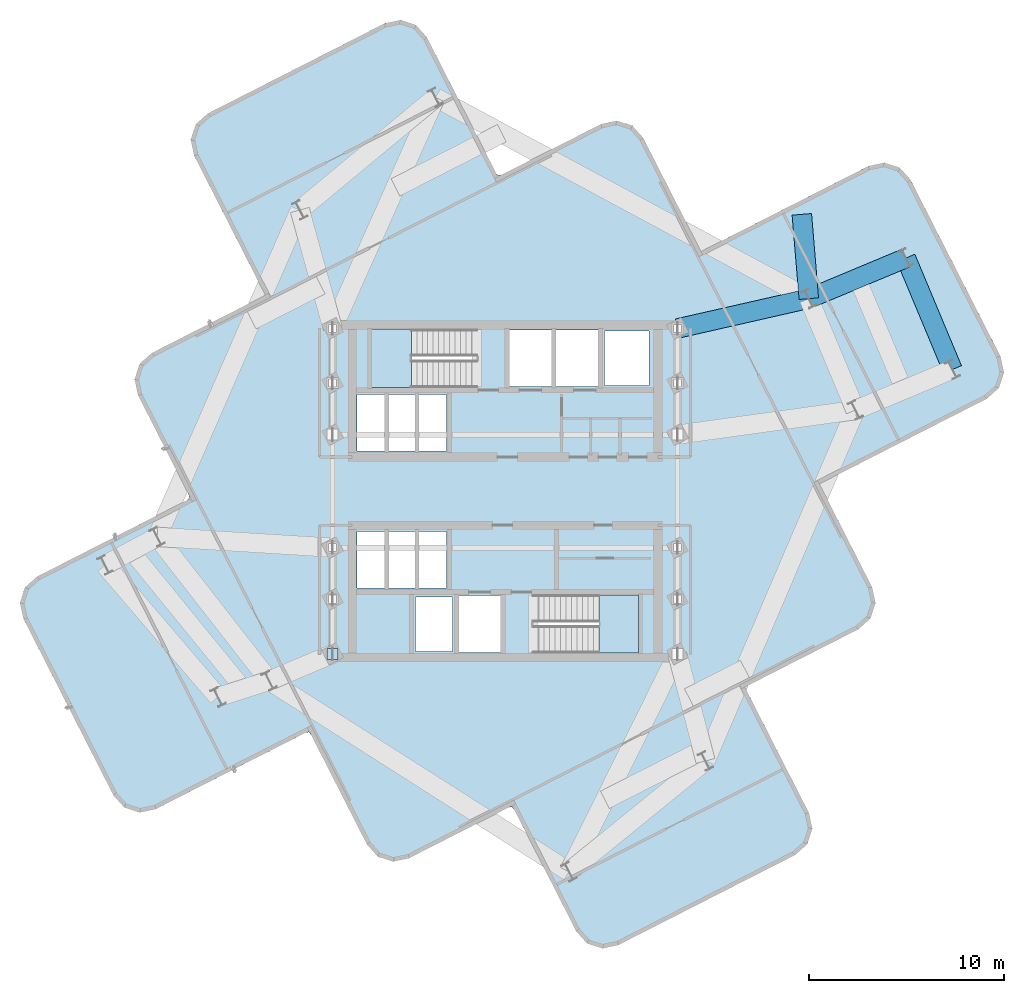
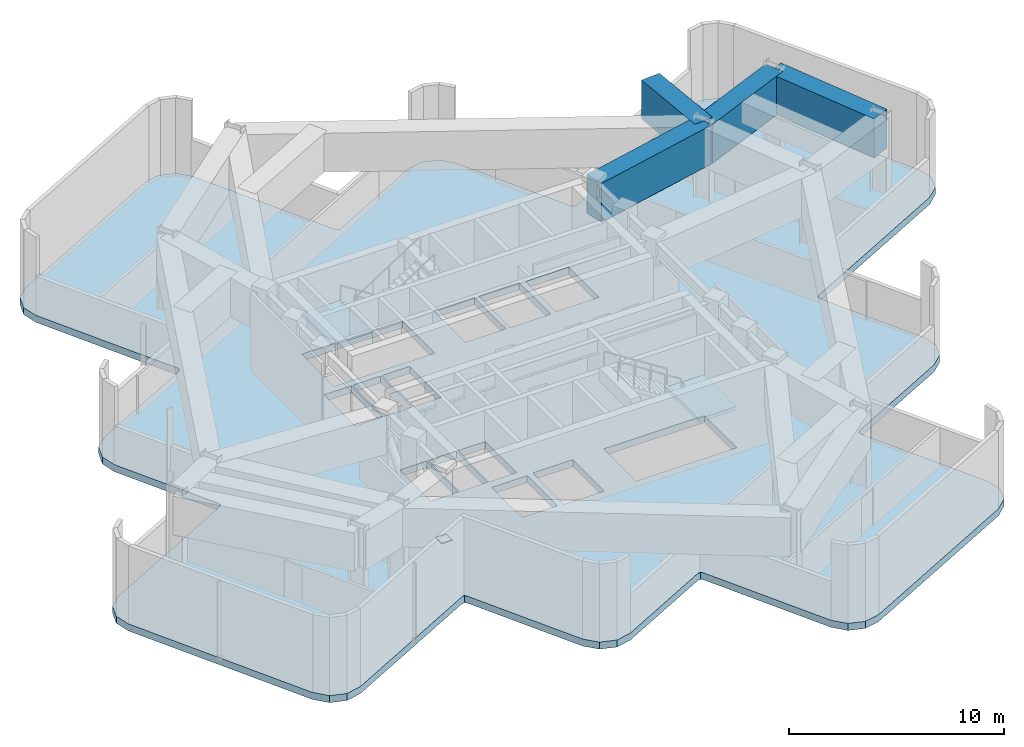
# One storey, part 2 of 6: 4 beams, 3 slabs, 1 plate, 2 elements without a shape of their own.
"""IFC4 building model written with IfcOpenShell, lengths in metres."""

from ifc_helpers import new_model, si_unit, direction, frame, origin, origin_2d, place, context, subcontext, project, spatial, polyline, rectangle, outline, extrude, material, layer, layer_set, material_profile, profile_set, type_object, element, aggregate, save


model = new_model("IFC4")

# Units and contexts
model_context = context("Model", 3, precision=1e-05, world=origin(), true_north=direction((0.0, 1.0)))
body_context = subcontext(model_context, "Body", "Model", "MODEL_VIEW")
ifc_project = project(units=[si_unit("LENGTHUNIT", "METRE"), si_unit("AREAUNIT", "SQUARE_METRE"), si_unit("VOLUMEUNIT", "CUBIC_METRE"), si_unit("PLANEANGLEUNIT", "RADIAN"), si_unit("MASSUNIT", "GRAM", prefix="KILO")], contexts=[model_context])

# Site, building, storey
site_placement = place(None, origin())
site = spatial("IfcSite", under=ifc_project, at=site_placement, CompositionType="ELEMENT")
building_placement = place(site_placement, origin())
building = spatial("IfcBuilding", under=site, at=building_placement, Name="Solmarez Civic Tower", CompositionType="ELEMENT")
storey_placement = place(building_placement, frame((0.0, 0.0, 196.199951171875)))
storey = spatial("IfcBuildingStorey", under=building, at=storey_placement, Name="L52", CompositionType="ELEMENT", Elevation=196.199951171875)

# Beams
ifc_material_1 = material(Name="Concrete C60/75", Category="concrete")
ifc_material_profile = material_profile(ifc_material_1, rectangle(XDim=1.0, YDim=2.199951171875, at=origin_2d()), Name="RC1000X2200")
ifc_profile_set = profile_set([ifc_material_profile], Name="Concrete C60/75")
beam_type = type_object("IfcBeamType", Name="BM-TG-RC1000X2200", PredefinedType="USERDEFINED", material=ifc_profile_set)
beam_1_placement = place(storey_placement, frame((8.85009765625, 8.35009765625, 3.320068359375), z_axis=(0.975124879448, 0.221656196577, 0.0), x_axis=(-0.221656196577, 0.975124879448, 0.0)))
element("IfcBeam", 1, at=beam_1_placement, inside=storey, type_object=beam_type, Name="L52 Transfer Girder BM-L52-EA-R1B", ObjectType="TRANSFER_GIRDER", PredefinedType="USERDEFINED", context=body_context, shape_type="SweptSolid", body=[
    extrude(rectangle(XDim=1.0, YDim=2.199951171875, at=origin_2d()), origin(), (0.0, 0.0, 1.0), 6.916015625),
])
beam_2_placement = place(storey_placement, frame((15.593994140625, 9.883056640625, 3.320068359375), z_axis=(0.922538326171, 0.385905476438, 0.0), x_axis=(-0.385905476438, 0.922538326171, 0.0)))
element("IfcBeam", 2, at=beam_2_placement, inside=storey, type_object=beam_type, Name="L52 Transfer Girder BM-L52-EA-R2B", ObjectType="TRANSFER_GIRDER", PredefinedType="USERDEFINED", context=body_context, shape_type="SweptSolid", body=[
    extrude(rectangle(XDim=1.0, YDim=2.199951171875, at=origin_2d()), origin(), (0.0, 0.0, 1.0), 5.400146484375),
])
beam_3_placement = place(storey_placement, frame((22.968017578125, 6.248046875, 3.320068359375), z_axis=(-0.385876218946, 0.922550564279, 0.0), x_axis=(-0.922550564279, -0.385876218946, 0.0)))
element("IfcBeam", 3, at=beam_3_placement, inside=storey, type_object=beam_type, Name="L52 Transfer Girder BM-L52-EA-T2", ObjectType="TRANSFER_GIRDER", PredefinedType="USERDEFINED", context=body_context, shape_type="SweptSolid", body=[
    extrude(rectangle(XDim=1.0, YDim=2.199951171875, at=origin_2d()), origin(), (0.0, 0.0, 1.0), 6.19921875),
])
beam_4_placement = place(storey_placement, frame((15.593994140625, 9.883056640625, 3.320068359375), z_axis=(-0.08295704373, 0.996553123971, 0.0), x_axis=(-0.996553123971, -0.08295704373, 0.0)))
element("IfcBeam", 4, at=beam_4_placement, inside=storey, type_object=beam_type, Name="L52 Transfer Girder TG-L52-EA12", ObjectType="TRANSFER_GIRDER", PredefinedType="USERDEFINED", context=body_context, shape_type="SweptSolid", body=[
    extrude(rectangle(XDim=1.0, YDim=2.199951171875, at=origin_2d()), origin(), (0.0, 0.0, 1.0), 4.3408203125),
])

# Plate
ifc_material_2 = material(Name="Steel S355", Category="steel")
ifc_layer_1 = layer(ifc_material_2, 0.028076171875)
ifc_layer_set_1 = layer_set([ifc_layer_1], Name="Steel S355")
plate_type = type_object("IfcPlateType", Name="PLT-CAP-540", PredefinedType="USERDEFINED", material=ifc_layer_set_1)
plate_placement = place(storey_placement, frame((-8.85009765625, -8.35009765625, 0.3359375), z_axis=(0.0, 0.0, 1.0), x_axis=(1.0, 0.0, 0.0)))
element("IfcPlate", 5, at=plate_placement, inside=storey, type_object=plate_type, Name="Steel Member End Cap Plate CAP-CHD-L52-01-0", ObjectType="CAP_PLATE", PredefinedType="USERDEFINED", context=body_context, shape_type="SweptSolid", body=[
    extrude(rectangle(XDim=0.56005859375, YDim=0.56005859375, at=origin_2d()), origin(), (0.0, 0.0, 1.0), 0.028076171875),
])

# Stair, slab
ifc_material_3 = material(Name="Concrete C50/60", Category="concrete")
stair_type = type_object("IfcStairType", Name="STAIR-DOGLEG-140W-26R-1800", PredefinedType="HALF_TURN_STAIR", material=ifc_material_3)
stair_1_placement = place(storey_placement, origin())
stair_1 = element("IfcStair", 6, at=stair_1_placement, inside=storey, type_object=stair_type, Name="L52 North Core Protected Exit Stair ST-1", PredefinedType="HALF_TURN_STAIR")
ifc_layer_2 = layer(ifc_material_3, 0.199951171875)
ifc_layer_set_2 = layer_set([ifc_layer_2], Name="Concrete C50/60")
slab_type_1 = type_object("IfcSlabType", Name="SLAB-LANDING-200", PredefinedType="LANDING", material=ifc_layer_set_2)
slab_1_placement = place(storey_placement, frame((0.0, 0.0, 2.14013671875)))
slab_1 = element("IfcSlab", 7, at=slab_1_placement, type_object=slab_type_1, Name="ST-1 landing 1", PredefinedType="LANDING", context=body_context, shape_type="SweptSolid", body=[
    extrude(outline(polyline([(-4.81005859375, 8.320068359375), (-6.85009765625, 8.320068359375), (-6.85009765625, 5.320068359375), (-4.81005859375, 5.320068359375), (-4.81005859375, 8.320068359375)])), origin(), (0.0, 0.0, 1.0), 0.199951171875),
])
aggregate(stair_1, [slab_1])

stair_2_placement = place(storey_placement, origin())
stair_2 = element("IfcStair", 8, at=stair_2_placement, inside=storey, type_object=stair_type, Name="L52 South Core Protected Exit Stair ST-2", PredefinedType="HALF_TURN_STAIR")
slab_2_placement = place(storey_placement, frame((0.0, 0.0, 2.14013671875)))
slab_2 = element("IfcSlab", 9, at=slab_2_placement, type_object=slab_type_1, Name="ST-2 landing 1", PredefinedType="LANDING", context=body_context, shape_type="SweptSolid", body=[
    extrude(outline(polyline([(4.81005859375, -8.320068359375), (6.85009765625, -8.320068359375), (6.85009765625, -5.320068359375), (4.81005859375, -5.320068359375), (4.81005859375, -8.320068359375)])), origin(), (0.0, 0.0, 1.0), 0.199951171875),
])
aggregate(stair_2, [slab_2])

# Slab
ifc_layer_3 = layer(ifc_material_1, 0.39990234375)
ifc_layer_set_3 = layer_set([ifc_layer_3], Name="Concrete C60/75")
slab_type_2 = type_object("IfcSlabType", Name="SLAB-TRANS-400", PredefinedType="FLOOR", material=ifc_layer_set_3)
slab_3_placement = place(storey_placement, frame((0.0, 0.0, -0.39990234375)))
element("IfcSlab", 10, at=slab_3_placement, inside=storey, type_object=slab_type_2, Name="L52 Structural Slab", PredefinedType="FLOOR", context=body_context, shape_type="SweptSolid", body=[
    extrude(outline(polyline([(-9.962890625, -12.49609375), (-7.0849609375, -18.14404296875), (-6.531005859375, -18.760009765625), (-5.742919921875, -19.01611328125), (-4.93310546875, -18.843017578125), (0.180908203125, -16.238037109375), (0.34912109375, -16.201904296875), (0.464111328125, -16.330078125), (3.659912109375, -22.60205078125), (4.214111328125, -23.217041015625), (5.001953125, -23.472900390625), (5.81201171875, -23.301025390625), (14.89990234375, -18.669921875), (15.51611328125, -18.115966796875), (15.77197265625, -17.3291015625), (15.59912109375, -16.51806640625), (12.404052734375, -10.24609375), (12.367919921875, -10.077880859375), (12.49609375, -9.962890625), (18.14404296875, -7.0849609375), (18.760009765625, -6.531005859375), (19.01611328125, -5.742919921875), (18.843017578125, -4.93310546875), (16.238037109375, 0.180908203125), (16.201904296875, 0.34912109375), (16.330078125, 0.464111328125), (24.739990234375, 4.75), (25.35595703125, 5.303955078125), (25.612060546875, 6.091064453125), (25.43994140625, 6.902099609375), (20.80908203125, 15.989990234375), (20.2548828125, 16.60498046875), (19.467041015625, 16.861083984375), (18.656982421875, 16.68896484375), (10.24609375, 12.404052734375), (10.077880859375, 12.367919921875), (9.962890625, 12.49609375), (7.0849609375, 18.14404296875), (6.531005859375, 18.760009765625), (5.742919921875, 19.01611328125), (4.93310546875, 18.843017578125), (-0.180908203125, 16.238037109375), (-0.34912109375, 16.201904296875), (-0.464111328125, 16.330078125), (-4.02294921875, 23.31494140625), (-4.576904296875, 23.929931640625), (-5.364990234375, 24.18603515625), (-6.175048828125, 24.013916015625), (-15.262939453125, 19.383056640625), (-15.87890625, 18.8291015625), (-16.135009765625, 18.041015625), (-15.962890625, 17.23095703125), (-12.404052734375, 10.24609375), (-12.367919921875, 10.077880859375), (-12.49609375, 9.962890625), (-18.14404296875, 7.0849609375), (-18.760009765625, 6.531005859375), (-19.01611328125, 5.742919921875), (-18.843017578125, 4.93310546875), (-16.238037109375, -0.180908203125), (-16.201904296875, -0.34912109375), (-16.330078125, -0.464111328125), (-24.027099609375, -4.385986328125), (-24.64306640625, -4.94091796875), (-24.89892578125, -5.72802734375), (-24.72705078125, -6.5380859375), (-20.095947265625, -15.626953125), (-19.5419921875, -16.241943359375), (-18.75390625, -16.498046875), (-17.944091796875, -16.325927734375), (-10.24609375, -12.404052734375), (-10.077880859375, -12.367919921875), (-9.962890625, -12.49609375)]), holes=[polyline([(-1.449951171875, 8.320068359375), (-6.85009765625, 8.320068359375), (-6.85009765625, 5.320068359375), (-1.449951171875, 5.320068359375), (-1.449951171875, 8.320068359375)]), polyline([(1.449951171875, -8.320068359375), (6.85009765625, -8.320068359375), (6.85009765625, -5.320068359375), (1.449951171875, -5.320068359375), (1.449951171875, -8.320068359375)]), polyline([(0.219970703125, 5.360107421875), (2.3798828125, 5.360107421875), (2.3798828125, 8.280029296875), (0.219970703125, 8.280029296875), (0.219970703125, 5.360107421875)]), polyline([(2.6201171875, 5.360107421875), (4.780029296875, 5.360107421875), (4.780029296875, 8.280029296875), (2.6201171875, 8.280029296875), (2.6201171875, 5.360107421875)]), polyline([(-2.3798828125, -8.280029296875), (-0.219970703125, -8.280029296875), (-0.219970703125, -5.360107421875), (-2.3798828125, -5.360107421875), (-2.3798828125, -8.280029296875)]), polyline([(-7.60009765625, -4.9599609375), (-6.1201171875, -4.9599609375), (-6.1201171875, -2.06005859375), (-7.60009765625, -2.06005859375), (-7.60009765625, -4.9599609375)]), polyline([(-6.0400390625, -4.9599609375), (-4.56005859375, -4.9599609375), (-4.56005859375, -2.06005859375), (-6.0400390625, -2.06005859375), (-6.0400390625, -4.9599609375)]), polyline([(-4.47998046875, -4.9599609375), (-3.0, -4.9599609375), (-3.0, -2.06005859375), (-4.47998046875, -2.06005859375), (-4.47998046875, -4.9599609375)]), polyline([(-7.60009765625, 2.06005859375), (-6.1201171875, 2.06005859375), (-6.1201171875, 4.9599609375), (-7.60009765625, 4.9599609375), (-7.60009765625, 2.06005859375)]), polyline([(-6.0400390625, 2.06005859375), (-4.56005859375, 2.06005859375), (-4.56005859375, 4.9599609375), (-6.0400390625, 4.9599609375), (-6.0400390625, 2.06005859375)]), polyline([(-4.47998046875, 2.06005859375), (-3.0, 2.06005859375), (-3.0, 4.9599609375), (-4.47998046875, 4.9599609375), (-4.47998046875, 2.06005859375)]), polyline([(5.10009765625, 5.419921875), (7.39990234375, 5.419921875), (7.39990234375, 8.219970703125), (5.10009765625, 8.219970703125), (5.10009765625, 5.419921875)]), polyline([(-4.60009765625, -8.219970703125), (-2.699951171875, -8.219970703125), (-2.699951171875, -5.419921875), (-4.60009765625, -5.419921875), (-4.60009765625, -8.219970703125)])]), origin(), (0.0, 0.0, 1.0), 0.39990234375),
])

save(model, "model.ifc")
